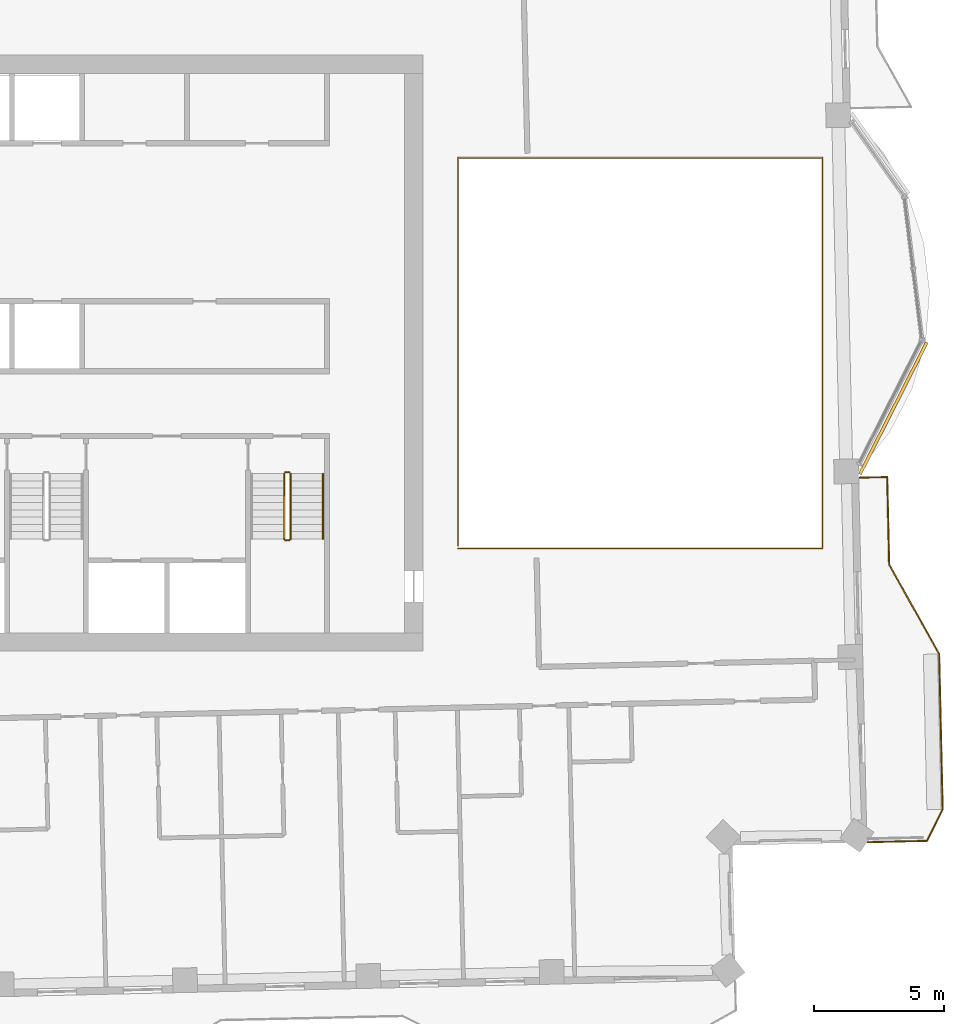
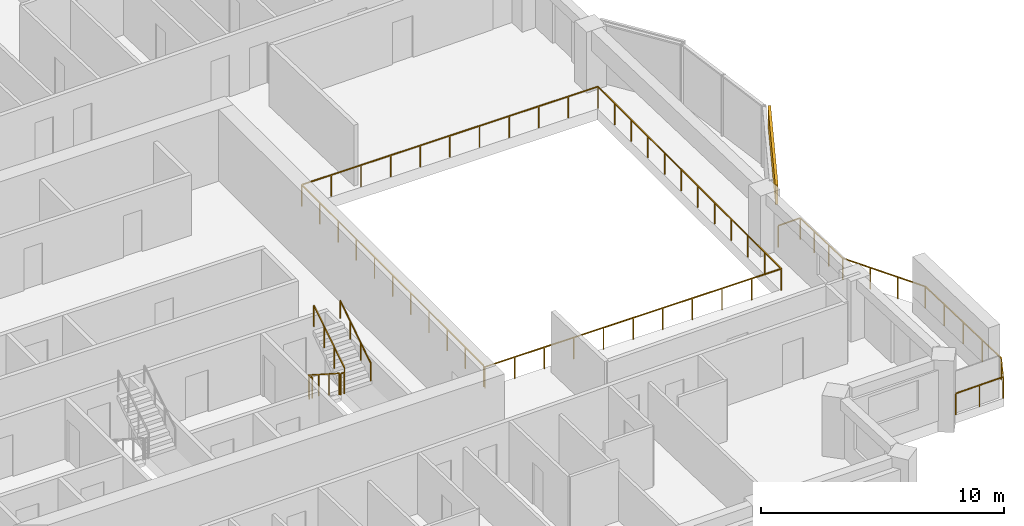
# One storey, part 18 of 19: 7 railings, 1 covering.
"""IFC4 building model written with IfcOpenShell, lengths in metres."""

from ifc_helpers import new_model, si_unit, direction, frame, frame_2d, origin, origin_2d, place, context, subcontext, project, spatial, rectangle, circle, extrude, material, layer, layer_set, type_object, element, save


model = new_model("IFC4")

# Units and contexts
model_context = context("Model", 3, precision=1e-05, world=origin(), true_north=direction((0.0, 1.0)))
body_context = subcontext(model_context, "Body", "Model", "MODEL_VIEW")
ifc_project = project(units=[si_unit("LENGTHUNIT", "METRE"), si_unit("AREAUNIT", "SQUARE_METRE"), si_unit("VOLUMEUNIT", "CUBIC_METRE"), si_unit("PLANEANGLEUNIT", "RADIAN"), si_unit("MASSUNIT", "GRAM", prefix="KILO")], contexts=[model_context])

# Site, building, storey
site_placement = place(None, origin())
site = spatial("IfcSite", under=ifc_project, at=site_placement, CompositionType="ELEMENT")
building_placement = place(site_placement, origin())
building = spatial("IfcBuilding", under=site, at=building_placement, Name="Mangrove Gate Tower", CompositionType="ELEMENT")
storey_placement = place(building_placement, frame((0.0, 0.0, 297.89990234375)))
storey = spatial("IfcBuildingStorey", under=building, at=storey_placement, Name="L76", CompositionType="ELEMENT", Elevation=297.89990234375)

# Railings
ifc_material_1 = material(Name="Stainless steel grade 316 with laminated glass infill", Category="steel")
railing_type_1 = type_object("IfcRailingType", Name="Balcony guard 1100", PredefinedType="GUARDRAIL", material=ifc_material_1)
railing_1_placement = place(storey_placement, frame((31.680908203125, -18.873046875, 0.0)))
element("IfcRailing", 1, at=railing_1_placement, inside=storey, type_object=railing_type_1, Name="GUARD L76 E1", PredefinedType="GUARDRAIL", context=body_context, shape_type="SweptSolid", body=[
    extrude(rectangle(XDim=0.048095703125, YDim=0.048095703125, at=origin_2d()), frame((0.0, 0.0, 1.076171875), z_axis=(0.999738891828, 0.022850561644, 0.0), x_axis=(-0.022850561644, 0.999738891828, 0.0)), (0.0, 0.0, 1.0), 2.275634765625),
    extrude(rectangle(XDim=0.048095703125, YDim=0.048095703125, at=origin_2d()), frame((2.275146484375, 0.052001953125, 1.076171875), z_axis=(0.447141648494, 0.894463160886, 0.0), x_axis=(-0.894463160886, 0.447141648494, 0.0)), (0.0, 0.0, 1.0), 1.357421875),
    extrude(rectangle(XDim=0.048095703125, YDim=0.048095703125, at=origin_2d()), frame((2.882080078125, 1.26611328125, 1.076171875), z_axis=(-0.022665943652, 0.999743094499, 0.0), x_axis=(-0.999743094499, -0.022665943652, 0.0)), (0.0, 0.0, 1.0), 5.99951171875),
    extrude(rectangle(XDim=0.048095703125, YDim=0.048095703125, at=origin_2d()), frame((2.74609375, 7.26416015625, 1.076171875), z_axis=(-0.487286324359, 0.873242256246, 0.0), x_axis=(-0.873242256246, -0.487286324359, 0.0)), (0.0, 0.0, 1.0), 3.95849609375),
    extrude(rectangle(XDim=0.048095703125, YDim=0.048095703125, at=origin_2d()), frame((0.817138671875, 10.720947265625, 1.076171875), z_axis=(-0.022497922048, 0.999746889719, 0.0), x_axis=(-0.999746889719, -0.022497922048, 0.0)), (0.0, 0.0, 1.0), 3.374755859375),
    extrude(rectangle(XDim=0.048095703125, YDim=0.048095703125, at=origin_2d()), frame((0.7412109375, 14.094970703125, 1.076171875), z_axis=(-0.999745389313, -0.022564497502, 0.0), x_axis=(0.022564497502, -0.999745389313, 0.0)), (0.0, 0.0, 1.0), 1.060302734375),
    extrude(rectangle(XDim=0.0419921875, YDim=0.0419921875, at=origin_2d()), origin(), (0.0, 0.0, 1.0), 1.052001953125),
    extrude(rectangle(XDim=0.0419921875, YDim=0.0419921875, at=origin_2d()), frame((1.1376953125, 0.02587890625, 0.0)), (0.0, 0.0, 1.0), 1.052001953125),
    extrude(rectangle(XDim=0.0419921875, YDim=0.0419921875, at=origin_2d()), frame((2.275146484375, 0.052001953125, 0.0)), (0.0, 0.0, 1.0), 1.052001953125),
    extrude(rectangle(XDim=0.0419921875, YDim=0.0419921875, at=origin_2d()), frame((2.882080078125, 1.26611328125, 0.0)), (0.0, 0.0, 1.0), 1.052001953125),
    extrude(rectangle(XDim=0.0419921875, YDim=0.0419921875, at=origin_2d()), frame((2.84814453125, 2.765625, 0.0)), (0.0, 0.0, 1.0), 1.052001953125),
    extrude(rectangle(XDim=0.0419921875, YDim=0.0419921875, at=origin_2d()), frame((2.81396484375, 4.26513671875, 0.0)), (0.0, 0.0, 1.0), 1.052001953125),
    extrude(rectangle(XDim=0.0419921875, YDim=0.0419921875, at=origin_2d()), frame((2.780029296875, 5.7646484375, 0.0)), (0.0, 0.0, 1.0), 1.052001953125),
    extrude(rectangle(XDim=0.0419921875, YDim=0.0419921875, at=origin_2d()), frame((2.74609375, 7.26416015625, 0.0)), (0.0, 0.0, 1.0), 1.052001953125),
    extrude(rectangle(XDim=0.0419921875, YDim=0.0419921875, at=origin_2d()), frame((2.10302734375, 8.41650390625, 0.0)), (0.0, 0.0, 1.0), 1.052001953125),
    extrude(rectangle(XDim=0.0419921875, YDim=0.0419921875, at=origin_2d()), frame((1.460205078125, 9.568603515625, 0.0)), (0.0, 0.0, 1.0), 1.052001953125),
    extrude(rectangle(XDim=0.0419921875, YDim=0.0419921875, at=origin_2d()), frame((0.817138671875, 10.720947265625, 0.0)), (0.0, 0.0, 1.0), 1.052001953125),
    extrude(rectangle(XDim=0.0419921875, YDim=0.0419921875, at=origin_2d()), frame((0.791748046875, 11.845703125, 0.0)), (0.0, 0.0, 1.0), 1.052001953125),
    extrude(rectangle(XDim=0.0419921875, YDim=0.0419921875, at=origin_2d()), frame((0.7666015625, 12.97021484375, 0.0)), (0.0, 0.0, 1.0), 1.052001953125),
    extrude(rectangle(XDim=0.0419921875, YDim=0.0419921875, at=origin_2d()), frame((0.7412109375, 14.094970703125, 0.0)), (0.0, 0.0, 1.0), 1.052001953125),
    extrude(rectangle(XDim=0.0419921875, YDim=0.0419921875, at=origin_2d()), frame((-0.31884765625, 14.071044921875, 0.0)), (0.0, 0.0, 1.0), 1.052001953125),
])
railing_2_placement = place(storey_placement, frame((15.860107421875, -7.5400390625, 0.0)))
element("IfcRailing", 2, at=railing_2_placement, inside=storey, type_object=railing_type_1, Name="GUARD L76 atrium", PredefinedType="GUARDRAIL", context=body_context, shape_type="SweptSolid", body=[
    extrude(rectangle(XDim=0.048095703125, YDim=0.048095703125, at=origin_2d()), frame((0.0, 0.0, 1.076171875), z_axis=(1.0, 0.0, 0.0), x_axis=(0.0, 1.0, 0.0)), (0.0, 0.0, 1.0), 14.06982421875),
    extrude(rectangle(XDim=0.048095703125, YDim=0.048095703125, at=origin_2d()), frame((14.06982421875, 0.0, 1.076171875), z_axis=(0.0, 1.0, 0.0), x_axis=(-1.0, 0.0, 0.0)), (0.0, 0.0, 1.0), 15.080078125),
    extrude(rectangle(XDim=0.048095703125, YDim=0.048095703125, at=origin_2d()), frame((14.06982421875, 15.080078125, 1.076171875), z_axis=(-1.0, 0.0, 0.0), x_axis=(0.0, -1.0, 0.0)), (0.0, 0.0, 1.0), 14.06982421875),
    extrude(rectangle(XDim=0.048095703125, YDim=0.048095703125, at=origin_2d()), frame((0.0, 15.080078125, 1.076171875), z_axis=(0.0, -1.0, 0.0), x_axis=(1.0, 0.0, 0.0)), (0.0, 0.0, 1.0), 14.9599609375),
    extrude(rectangle(XDim=0.0419921875, YDim=0.0419921875, at=origin_2d()), origin(), (0.0, 0.0, 1.0), 1.052001953125),
    extrude(rectangle(XDim=0.0419921875, YDim=0.0419921875, at=origin_2d()), frame((1.406982421875, 0.0, 0.0)), (0.0, 0.0, 1.0), 1.052001953125),
    extrude(rectangle(XDim=0.0419921875, YDim=0.0419921875, at=origin_2d()), frame((2.81396484375, 0.0, 0.0)), (0.0, 0.0, 1.0), 1.052001953125),
    extrude(rectangle(XDim=0.0419921875, YDim=0.0419921875, at=origin_2d()), frame((4.220947265625, 0.0, 0.0)), (0.0, 0.0, 1.0), 1.052001953125),
    extrude(rectangle(XDim=0.0419921875, YDim=0.0419921875, at=origin_2d()), frame((5.6279296875, 0.0, 0.0)), (0.0, 0.0, 1.0), 1.052001953125),
    extrude(rectangle(XDim=0.0419921875, YDim=0.0419921875, at=origin_2d()), frame((7.034912109375, 0.0, 0.0)), (0.0, 0.0, 1.0), 1.052001953125),
    extrude(rectangle(XDim=0.0419921875, YDim=0.0419921875, at=origin_2d()), frame((8.44189453125, 0.0, 0.0)), (0.0, 0.0, 1.0), 1.052001953125),
    extrude(rectangle(XDim=0.0419921875, YDim=0.0419921875, at=origin_2d()), frame((9.848876953125, 0.0, 0.0)), (0.0, 0.0, 1.0), 1.052001953125),
    extrude(rectangle(XDim=0.0419921875, YDim=0.0419921875, at=origin_2d()), frame((11.255859375, 0.0, 0.0)), (0.0, 0.0, 1.0), 1.052001953125),
    extrude(rectangle(XDim=0.0419921875, YDim=0.0419921875, at=origin_2d()), frame((12.662841796875, 0.0, 0.0)), (0.0, 0.0, 1.0), 1.052001953125),
    extrude(rectangle(XDim=0.0419921875, YDim=0.0419921875, at=origin_2d()), frame((14.06982421875, 0.0, 0.0)), (0.0, 0.0, 1.0), 1.052001953125),
    extrude(rectangle(XDim=0.0419921875, YDim=0.0419921875, at=origin_2d()), frame((14.06982421875, 1.370849609375, 0.0)), (0.0, 0.0, 1.0), 1.052001953125),
    extrude(rectangle(XDim=0.0419921875, YDim=0.0419921875, at=origin_2d()), frame((14.06982421875, 2.741943359375, 0.0)), (0.0, 0.0, 1.0), 1.052001953125),
    extrude(rectangle(XDim=0.0419921875, YDim=0.0419921875, at=origin_2d()), frame((14.06982421875, 4.11279296875, 0.0)), (0.0, 0.0, 1.0), 1.052001953125),
    extrude(rectangle(XDim=0.0419921875, YDim=0.0419921875, at=origin_2d()), frame((14.06982421875, 5.483642578125, 0.0)), (0.0, 0.0, 1.0), 1.052001953125),
    extrude(rectangle(XDim=0.0419921875, YDim=0.0419921875, at=origin_2d()), frame((14.06982421875, 6.8544921875, 0.0)), (0.0, 0.0, 1.0), 1.052001953125),
    extrude(rectangle(XDim=0.0419921875, YDim=0.0419921875, at=origin_2d()), frame((14.06982421875, 8.2255859375, 0.0)), (0.0, 0.0, 1.0), 1.052001953125),
    extrude(rectangle(XDim=0.0419921875, YDim=0.0419921875, at=origin_2d()), frame((14.06982421875, 9.596435546875, 0.0)), (0.0, 0.0, 1.0), 1.052001953125),
    extrude(rectangle(XDim=0.0419921875, YDim=0.0419921875, at=origin_2d()), frame((14.06982421875, 10.96728515625, 0.0)), (0.0, 0.0, 1.0), 1.052001953125),
    extrude(rectangle(XDim=0.0419921875, YDim=0.0419921875, at=origin_2d()), frame((14.06982421875, 12.338134765625, 0.0)), (0.0, 0.0, 1.0), 1.052001953125),
    extrude(rectangle(XDim=0.0419921875, YDim=0.0419921875, at=origin_2d()), frame((14.06982421875, 13.709228515625, 0.0)), (0.0, 0.0, 1.0), 1.052001953125),
    extrude(rectangle(XDim=0.0419921875, YDim=0.0419921875, at=origin_2d()), frame((14.06982421875, 15.080078125, 0.0)), (0.0, 0.0, 1.0), 1.052001953125),
    extrude(rectangle(XDim=0.0419921875, YDim=0.0419921875, at=origin_2d()), frame((12.662841796875, 15.080078125, 0.0)), (0.0, 0.0, 1.0), 1.052001953125),
    extrude(rectangle(XDim=0.0419921875, YDim=0.0419921875, at=origin_2d()), frame((11.255859375, 15.080078125, 0.0)), (0.0, 0.0, 1.0), 1.052001953125),
    extrude(rectangle(XDim=0.0419921875, YDim=0.0419921875, at=origin_2d()), frame((9.848876953125, 15.080078125, 0.0)), (0.0, 0.0, 1.0), 1.052001953125),
    extrude(rectangle(XDim=0.0419921875, YDim=0.0419921875, at=origin_2d()), frame((8.44189453125, 15.080078125, 0.0)), (0.0, 0.0, 1.0), 1.052001953125),
    extrude(rectangle(XDim=0.0419921875, YDim=0.0419921875, at=origin_2d()), frame((7.034912109375, 15.080078125, 0.0)), (0.0, 0.0, 1.0), 1.052001953125),
    extrude(rectangle(XDim=0.0419921875, YDim=0.0419921875, at=origin_2d()), frame((5.6279296875, 15.080078125, 0.0)), (0.0, 0.0, 1.0), 1.052001953125),
    extrude(rectangle(XDim=0.0419921875, YDim=0.0419921875, at=origin_2d()), frame((4.220947265625, 15.080078125, 0.0)), (0.0, 0.0, 1.0), 1.052001953125),
    extrude(rectangle(XDim=0.0419921875, YDim=0.0419921875, at=origin_2d()), frame((2.81396484375, 15.080078125, 0.0)), (0.0, 0.0, 1.0), 1.052001953125),
    extrude(rectangle(XDim=0.0419921875, YDim=0.0419921875, at=origin_2d()), frame((1.406982421875, 15.080078125, 0.0)), (0.0, 0.0, 1.0), 1.052001953125),
    extrude(rectangle(XDim=0.0419921875, YDim=0.0419921875, at=origin_2d()), frame((0.0, 15.080078125, 0.0)), (0.0, 0.0, 1.0), 1.052001953125),
    extrude(rectangle(XDim=0.0419921875, YDim=0.0419921875, at=origin_2d()), frame((0.0, 13.583984375, 0.0)), (0.0, 0.0, 1.0), 1.052001953125),
    extrude(rectangle(XDim=0.0419921875, YDim=0.0419921875, at=origin_2d()), frame((0.0, 12.088134765625, 0.0)), (0.0, 0.0, 1.0), 1.052001953125),
    extrude(rectangle(XDim=0.0419921875, YDim=0.0419921875, at=origin_2d()), frame((0.0, 10.592041015625, 0.0)), (0.0, 0.0, 1.0), 1.052001953125),
    extrude(rectangle(XDim=0.0419921875, YDim=0.0419921875, at=origin_2d()), frame((0.0, 9.09619140625, 0.0)), (0.0, 0.0, 1.0), 1.052001953125),
    extrude(rectangle(XDim=0.0419921875, YDim=0.0419921875, at=origin_2d()), frame((0.0, 7.60009765625, 0.0)), (0.0, 0.0, 1.0), 1.052001953125),
    extrude(rectangle(XDim=0.0419921875, YDim=0.0419921875, at=origin_2d()), frame((0.0, 6.10400390625, 0.0)), (0.0, 0.0, 1.0), 1.052001953125),
    extrude(rectangle(XDim=0.0419921875, YDim=0.0419921875, at=origin_2d()), frame((0.0, 4.608154296875, 0.0)), (0.0, 0.0, 1.0), 1.052001953125),
    extrude(rectangle(XDim=0.0419921875, YDim=0.0419921875, at=origin_2d()), frame((0.0, 3.112060546875, 0.0)), (0.0, 0.0, 1.0), 1.052001953125),
    extrude(rectangle(XDim=0.0419921875, YDim=0.0419921875, at=origin_2d()), frame((0.0, 1.6162109375, 0.0)), (0.0, 0.0, 1.0), 1.052001953125),
    extrude(rectangle(XDim=0.0419921875, YDim=0.0419921875, at=origin_2d()), frame((0.0, 0.1201171875, 0.0)), (0.0, 0.0, 1.0), 1.052001953125),
])
ifc_material_2 = material(Name="Stainless steel 316", Category="steel")
railing_type_2 = type_object("IfcRailingType", Name="Core stair guard 1100", PredefinedType="GUARDRAIL", material=ifc_material_2)
railing_3_placement = place(storey_placement, frame((9.14990234375, -4.64990234375, 0.18017578125)))
element("IfcRailing", 3, at=railing_3_placement, inside=storey, type_object=railing_type_2, Name="L76 ST3 stair guard 1", PredefinedType="GUARDRAIL", context=body_context, shape_type="SweptSolid", body=[
    extrude(rectangle(XDim=0.048095703125, YDim=0.048095703125, at=origin_2d()), frame((0.0, 0.0, 1.076171875), z_axis=(0.0, -0.841199657755, 0.540724639528), x_axis=(1.0, 0.0, 0.0)), (0.0, 0.0, 1.0), 2.995849609375),
    extrude(rectangle(XDim=0.0419921875, YDim=0.0419921875, at=origin_2d()), origin(), (0.0, 0.0, 1.0), 1.052001953125),
    extrude(rectangle(XDim=0.0419921875, YDim=0.0419921875, at=origin_2d()), frame((0.0, -0.840087890625, 0.5400390625)), (0.0, 0.0, 1.0), 1.052001953125),
    extrude(rectangle(XDim=0.0419921875, YDim=0.0419921875, at=origin_2d()), frame((0.0, -1.679931640625, 1.079833984375)), (0.0, 0.0, 1.0), 1.052001953125),
    extrude(rectangle(XDim=0.0419921875, YDim=0.0419921875, at=origin_2d()), frame((0.0, -2.52001953125, 1.619873046875)), (0.0, 0.0, 1.0), 1.052001953125),
])
railing_4_placement = place(storey_placement, frame((9.199951171875, -7.219970703125, 1.800048828125)))
element("IfcRailing", 4, at=railing_4_placement, inside=storey, type_object=railing_type_2, Name="L76 ST3 stair guard 2", PredefinedType="GUARDRAIL", context=body_context, shape_type="SweptSolid", body=[
    extrude(rectangle(XDim=0.048095703125, YDim=0.048095703125, at=origin_2d()), frame((0.0, 0.0, 1.076171875), z_axis=(1.0, 0.0, 0.0), x_axis=(0.0, 1.0, 0.0)), (0.0, 0.0, 1.0), 0.150146484375),
    extrude(rectangle(XDim=0.0419921875, YDim=0.0419921875, at=origin_2d()), origin(), (0.0, 0.0, 1.0), 1.052001953125),
    extrude(rectangle(XDim=0.0419921875, YDim=0.0419921875, at=origin_2d()), frame((0.150146484375, 0.0, 0.0)), (0.0, 0.0, 1.0), 1.052001953125),
])
railing_5_placement = place(storey_placement, frame((9.39990234375, -7.169921875, 1.97998046875)))
element("IfcRailing", 5, at=railing_5_placement, inside=storey, type_object=railing_type_2, Name="L76 ST3 stair guard 3", PredefinedType="GUARDRAIL", context=body_context, shape_type="SweptSolid", body=[
    extrude(rectangle(XDim=0.048095703125, YDim=0.048095703125, at=origin_2d()), frame((0.0, 0.0, 1.076171875), z_axis=(0.0, 0.841162588446, 0.540782303519), x_axis=(-1.0, 0.0, 0.0)), (0.0, 0.0, 1.0), 2.995849609375),
    extrude(rectangle(XDim=0.0419921875, YDim=0.0419921875, at=origin_2d()), origin(), (0.0, 0.0, 1.0), 1.052001953125),
    extrude(rectangle(XDim=0.0419921875, YDim=0.0419921875, at=origin_2d()), frame((0.0, 0.840087890625, 0.5400390625)), (0.0, 0.0, 1.0), 1.052001953125),
    extrude(rectangle(XDim=0.0419921875, YDim=0.0419921875, at=origin_2d()), frame((0.0, 1.679931640625, 1.080078125)), (0.0, 0.0, 1.0), 1.052001953125),
    extrude(rectangle(XDim=0.0419921875, YDim=0.0419921875, at=origin_2d()), frame((0.0, 2.52001953125, 1.6201171875)), (0.0, 0.0, 1.0), 1.052001953125),
])
railing_6_placement = place(storey_placement, frame((9.199951171875, -4.60009765625, 0.0)))
element("IfcRailing", 6, at=railing_6_placement, inside=storey, type_object=railing_type_2, Name="L76 ST3 stair guard 4", PredefinedType="GUARDRAIL", context=body_context, shape_type="SweptSolid", body=[
    extrude(rectangle(XDim=0.048095703125, YDim=0.048095703125, at=origin_2d()), frame((0.0, 0.0, 1.076171875), z_axis=(1.0, 0.0, 0.0), x_axis=(0.0, 1.0, 0.0)), (0.0, 0.0, 1.0), 0.150146484375),
    extrude(rectangle(XDim=0.0419921875, YDim=0.0419921875, at=origin_2d()), origin(), (0.0, 0.0, 1.0), 1.052001953125),
    extrude(rectangle(XDim=0.0419921875, YDim=0.0419921875, at=origin_2d()), frame((0.150146484375, 0.0, 0.0)), (0.0, 0.0, 1.0), 1.052001953125),
])
ifc_material_3 = material(Name="Stainless steel 316", Category="steel")
railing_type_3 = type_object("IfcRailingType", Name="Core stair handrail 900", PredefinedType="HANDRAIL", material=ifc_material_3)
railing_7_placement = place(storey_placement, frame((10.64990234375, -7.169921875, 1.97998046875)))
element("IfcRailing", 7, at=railing_7_placement, inside=storey, type_object=railing_type_3, Name="L76 ST3 stair handrail 2", PredefinedType="HANDRAIL", context=body_context, shape_type="SweptSolid", body=[
    extrude(circle(Radius=0.02392578125, at=origin_2d()), frame((0.0, 0.0, 0.8759765625), z_axis=(0.0, 0.841162588446, 0.540782303519), x_axis=(-1.0, 0.0, 0.0)), (0.0, 0.0, 1.0), 2.995849609375),
    extrude(circle(Radius=0.02099609375, at=origin_2d()), origin(), (0.0, 0.0, 1.0), 0.851806640625),
    extrude(circle(Radius=0.02099609375, at=origin_2d()), frame((0.0, 0.840087890625, 0.5400390625)), (0.0, 0.0, 1.0), 0.851806640625),
    extrude(circle(Radius=0.02099609375, at=origin_2d()), frame((0.0, 1.679931640625, 1.080078125)), (0.0, 0.0, 1.0), 0.851806640625),
    extrude(circle(Radius=0.02099609375, at=origin_2d()), frame((0.0, 2.52001953125, 1.6201171875)), (0.0, 0.0, 1.0), 0.851806640625),
])

# Covering
ifc_material_4 = material(Name="Limestone", Category="masonry")
ifc_layer_1 = layer(ifc_material_4, 0.0400390625, Name="Limestone cladding")
ifc_material_5 = material(Name="Stainless steel anchors and cavity", Category="steel")
ifc_layer_2 = layer(ifc_material_5, 0.080078125, Name="Fixing cavity")
ifc_layer_set = layer_set([ifc_layer_1, ifc_layer_2], Name="Joint fascia cladding 120")
covering_type = type_object("IfcCoveringType", Name="Joint fascia cladding 120", PredefinedType="CLADDING", material=ifc_layer_set)
covering_placement = place(storey_placement, frame((31.36962890625, -4.674560546875, 2.050048828125), z_axis=(0.0, 0.0, 1.0), x_axis=(0.452616431896, 0.891705313194, 0.0)))
element("IfcCovering", 8, at=covering_placement, inside=storey, type_object=covering_type, Name="STONE FASCIA L76 E1.L1", PredefinedType="CLADDING", context=body_context, shape_type="SweptSolid", body=[
    extrude(rectangle(XDim=5.703125, YDim=0.1201171875, at=frame_2d((2.8515625, 0.0))), origin(), (0.0, 0.0, 1.0), 1.0),
])

save(model, "model.ifc")
